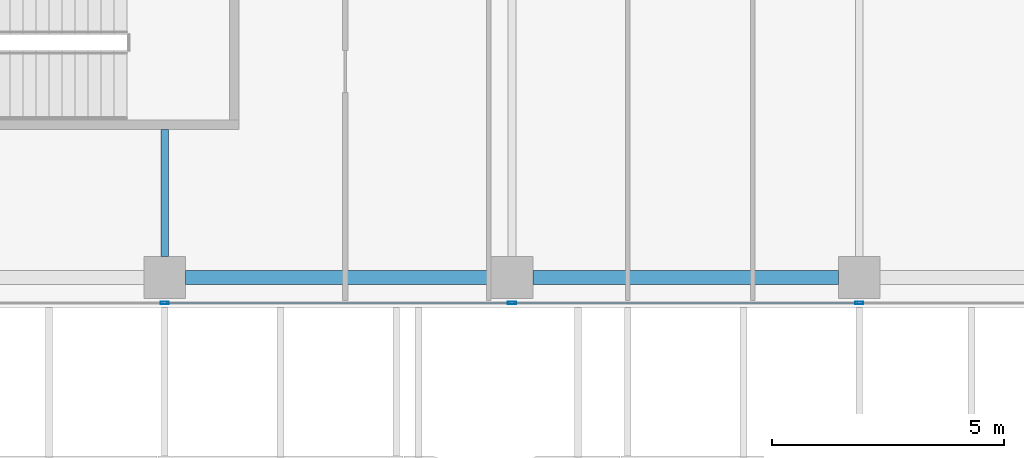
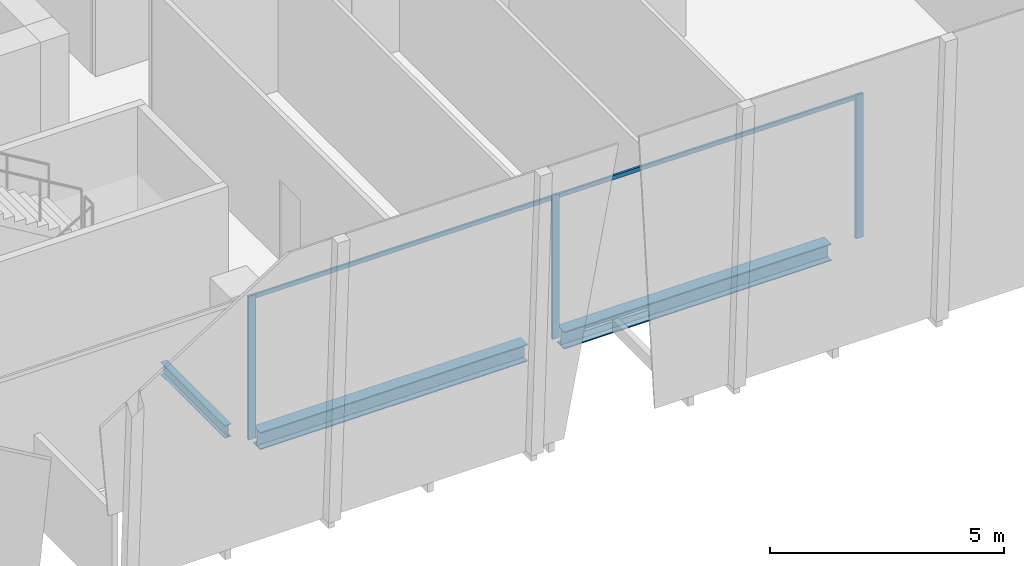
# One storey, part 4 of 35: 5 members, 3 beams, 1 element without a shape of its own.
"""IFC4 building model written with IfcOpenShell, lengths in metres."""

from ifc_helpers import new_model, si_unit, direction, frame, origin, origin_2d, place, context, subcontext, project, spatial, hollow_rectangle, i_section, extrude, source, transform, mapped, material, material_profile, profile_set, type_object, element, aggregate, save


model = new_model("IFC4")

# Units and contexts
model_context = context("Model", 3, precision=1e-05, world=origin(), true_north=direction((0.0, 1.0)))
body_context = subcontext(model_context, "Body", "Model", "MODEL_VIEW")
ifc_project = project(units=[si_unit("LENGTHUNIT", "METRE"), si_unit("AREAUNIT", "SQUARE_METRE"), si_unit("VOLUMEUNIT", "CUBIC_METRE"), si_unit("PLANEANGLEUNIT", "RADIAN"), si_unit("MASSUNIT", "GRAM", prefix="KILO")], contexts=[model_context])

# Site, building, storey
site_placement = place(None, origin())
site = spatial("IfcSite", under=ifc_project, at=site_placement, CompositionType="ELEMENT")
building_placement = place(site_placement, origin())
building = spatial("IfcBuilding", under=site, at=building_placement, Name="Khomas Fold Tower", CompositionType="ELEMENT")
storey_placement = place(building_placement, frame((0.0, 0.0, 266.199951171875)))
storey = spatial("IfcBuildingStorey", under=building, at=storey_placement, Name="L60", CompositionType="ELEMENT", Elevation=266.199951171875)

# Beams
ifc_material_1 = material(Name="Steel S355", Category="steel")
ifc_material_profile_1 = material_profile(ifc_material_1, i_section(OverallWidth=0.159912109375, OverallDepth=0.330078125, WebThickness=0.007568359375, FlangeThickness=0.011474609375, at=origin_2d()), Name="IPE 330")
ifc_profile_set_1 = profile_set([ifc_material_profile_1], Name="Steel S355")
beam_type_1 = type_object("IfcBeamType", Name="IPE 330 beam JB1", PredefinedType="BEAM", material=ifc_profile_set_1)
shared_shape_1 = source(origin(), body_context, "Body", "SweptSolid", [
    extrude(i_section(OverallWidth=0.159912109375, OverallDepth=0.330078125, WebThickness=0.007568359375, FlangeThickness=0.011474609375, at=origin_2d()), origin(), (0.0, 0.0, 1.0), 2.75),
])
beam_placement = place(storey_placement, frame((19.5, 5.60009765625, -0.4150390625), z_axis=(0.0, 1.0, 0.0), x_axis=(-1.0, 0.0, 0.0)))
element("IfcBeam", 1, at=beam_placement, inside=storey, type_object=beam_type_1, Name="JB1", PredefinedType="BEAM", context=body_context, shape_type="MappedRepresentation", body=[
    mapped(shared_shape_1, transform((0.0, 0.0, 0.0))),
])
ifc_material_2 = material(Name="Steel S355", Category="steel")
ifc_material_profile_2 = material_profile(ifc_material_2, i_section(OverallWidth=0.300048828125, OverallDepth=0.449951171875, WebThickness=0.013916015625, FlangeThickness=0.02587890625, at=origin_2d()), Name="HE 450 B")
ifc_profile_set_2 = profile_set([ifc_material_profile_2], Name="Steel S355")
beam_type_2 = type_object("IfcBeamType", Name="HE 450 B spandrel SB4", PredefinedType="SPANDREL", material=ifc_profile_set_2)
shared_shape_2 = source(origin(), body_context, "Body", "SweptSolid", [
    extrude(i_section(OverallWidth=0.300048828125, OverallDepth=0.449951171875, WebThickness=0.013916015625, FlangeThickness=0.02587890625, at=origin_2d()), origin(), (0.0, 0.0, 1.0), 6.60009765625),
])
for number, where, z_axis, x_axis, name in (
    (2, (19.949951171875, 5.14990234375, -0.474853515625), (1.0, 0.0, 0.0), (0.0, 1.0, 0.0), "SB4"),
    (3, (27.449951171875, 5.14990234375, -0.474853515625), (1.0, 0.0, 0.0), (0.0, 1.0, 0.0), "SB4"),
):
    element("IfcBeam", number, at=place(storey_placement, frame(where, z_axis=z_axis, x_axis=x_axis)), inside=storey, type_object=beam_type_2, Name=name, PredefinedType="SPANDREL", context=body_context, shape_type="MappedRepresentation", body=[
        mapped(shared_shape_2, transform((0.0, 0.0, 0.0))),
    ])

# Curtain wall, members
ifc_material_3 = material(Name="Aluminium framed double glazing", Category="aluminium")
curtain_wall_type = type_object("IfcCurtainWallType", Name="SK-Unitised clear-glass wall, office floors CW2", PredefinedType="NOTDEFINED", material=ifc_material_3)
curtain_wall_placement = place(storey_placement, origin())
curtain_wall = element("IfcCurtainWall", 4, at=curtain_wall_placement, inside=storey, type_object=curtain_wall_type, Name="CW2 run L60 00-0", PredefinedType="NOTDEFINED")
ifc_material_4 = material(Name="Aluminium", Category="aluminium")
ifc_material_profile_3 = material_profile(ifc_material_4, hollow_rectangle(XDim=0.06005859375, YDim=0.179931640625, WallThickness=0.00390625, at=origin_2d()), Name="SK-Unitised clear-glass wall, office floors mullion CW2-M")
ifc_profile_set_3 = profile_set([ifc_material_profile_3], Name="Aluminium")
member_type_1 = type_object("IfcMemberType", Name="SK-Unitised clear-glass wall, office floors mullion CW2-M", PredefinedType="MULLION", material=ifc_profile_set_3)
shared_shape_3 = source(origin(), body_context, "Body", "SweptSolid", [
    extrude(hollow_rectangle(XDim=0.06005859375, YDim=0.179931640625, WallThickness=0.00390625, at=origin_2d()), origin(), (0.0, 0.0, 1.0), 3.75),
])
member_1_placement = place(storey_placement, frame((19.5, 4.60009765625, 0.0), z_axis=(0.0, 0.0, 1.0), x_axis=(0.0, 1.0, 0.0)))
member_1 = element("IfcMember", 5, at=member_1_placement, type_object=member_type_1, Name="CW2 mullion 3", PredefinedType="MULLION", context=body_context, shape_type="MappedRepresentation", body=[
    mapped(shared_shape_3, transform((0.0, 0.0, 0.0))),
])
member_2_placement = place(storey_placement, frame((27.0, 4.60009765625, 0.0), z_axis=(0.0, 0.0, 1.0), x_axis=(0.0, 1.0, 0.0)))
member_2 = element("IfcMember", 6, at=member_2_placement, type_object=member_type_1, Name="CW2 mullion 4", PredefinedType="MULLION", context=body_context, shape_type="MappedRepresentation", body=[
    mapped(shared_shape_3, transform((0.0, 0.0, 0.0))),
])
member_3_placement = place(storey_placement, frame((34.5, 4.60009765625, 0.0), z_axis=(0.0, 0.0, 1.0), x_axis=(0.0, 1.0, 0.0)))
member_3 = element("IfcMember", 7, at=member_3_placement, type_object=member_type_1, Name="CW2 mullion 5", PredefinedType="MULLION", context=body_context, shape_type="MappedRepresentation", body=[
    mapped(shared_shape_3, transform((0.0, 0.0, 0.0))),
])
ifc_material_5 = material(Name="Aluminium", Category="aluminium")
ifc_material_profile_4 = material_profile(ifc_material_5, hollow_rectangle(XDim=0.050048828125, YDim=0.110107421875, WallThickness=0.00390625, at=origin_2d()), Name="SK-Unitised clear-glass wall, office floors transom CW2-T")
ifc_profile_set_4 = profile_set([ifc_material_profile_4], Name="Aluminium")
member_type_2 = type_object("IfcMemberType", Name="SK-Unitised clear-glass wall, office floors transom CW2-T", PredefinedType="USERDEFINED", material=ifc_profile_set_4)
shared_shape_4 = source(origin(), body_context, "Body", "SweptSolid", [
    extrude(hollow_rectangle(XDim=0.050048828125, YDim=0.110107421875, WallThickness=0.00390625, at=origin_2d()), origin(), (0.0, 0.0, 1.0), 7.43994140625),
])
member_4_placement = place(storey_placement, frame((19.530029296875, 4.60009765625, 3.695068359375), z_axis=(1.0, 0.0, 0.0), x_axis=(0.0, 1.0, 0.0)))
member_4 = element("IfcMember", 8, at=member_4_placement, type_object=member_type_2, Name="CW2 transom 3", ObjectType="TRANSOM", PredefinedType="USERDEFINED", context=body_context, shape_type="MappedRepresentation", body=[
    mapped(shared_shape_4, transform((0.0, 0.0, 0.0))),
])
member_5_placement = place(storey_placement, frame((27.030029296875, 4.60009765625, 3.695068359375), z_axis=(1.0, 0.0, 0.0), x_axis=(0.0, 1.0, 0.0)))
member_5 = element("IfcMember", 9, at=member_5_placement, type_object=member_type_2, Name="CW2 transom 4", ObjectType="TRANSOM", PredefinedType="USERDEFINED", context=body_context, shape_type="MappedRepresentation", body=[
    mapped(shared_shape_4, transform((0.0, 0.0, 0.0))),
])
aggregate(curtain_wall, [member_1, member_2, member_3, member_4, member_5])

save(model, "model.ifc")
